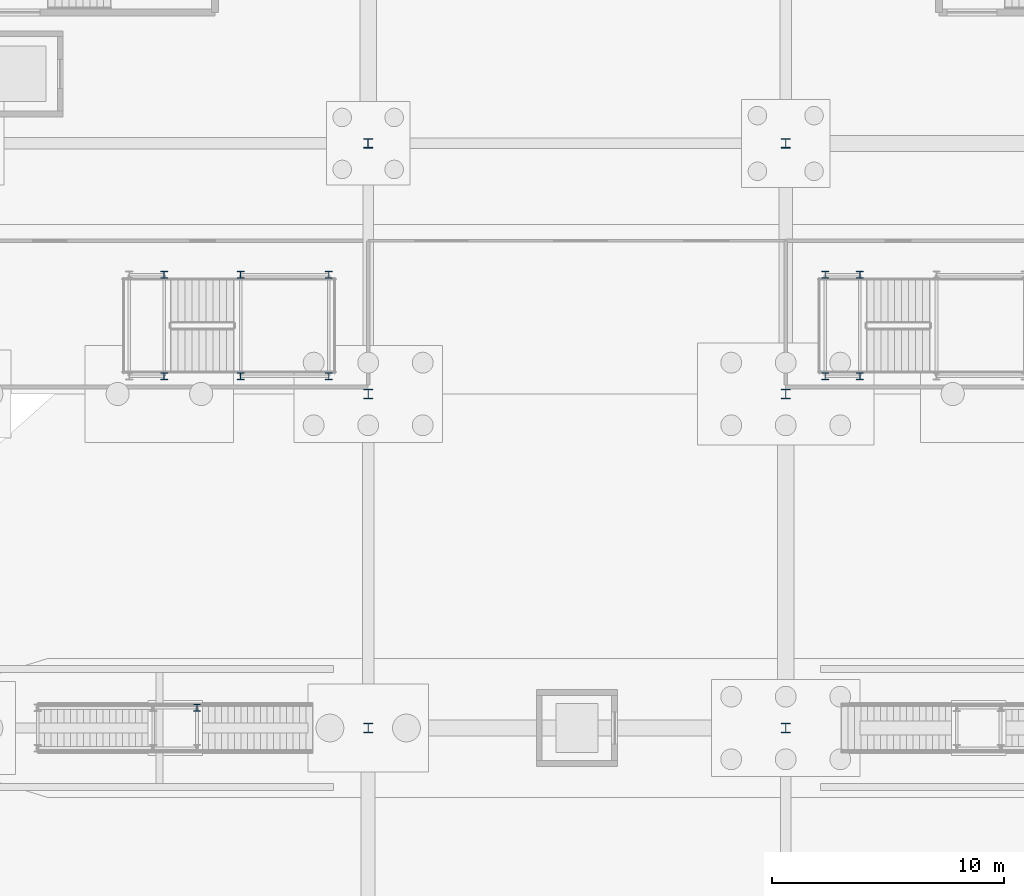
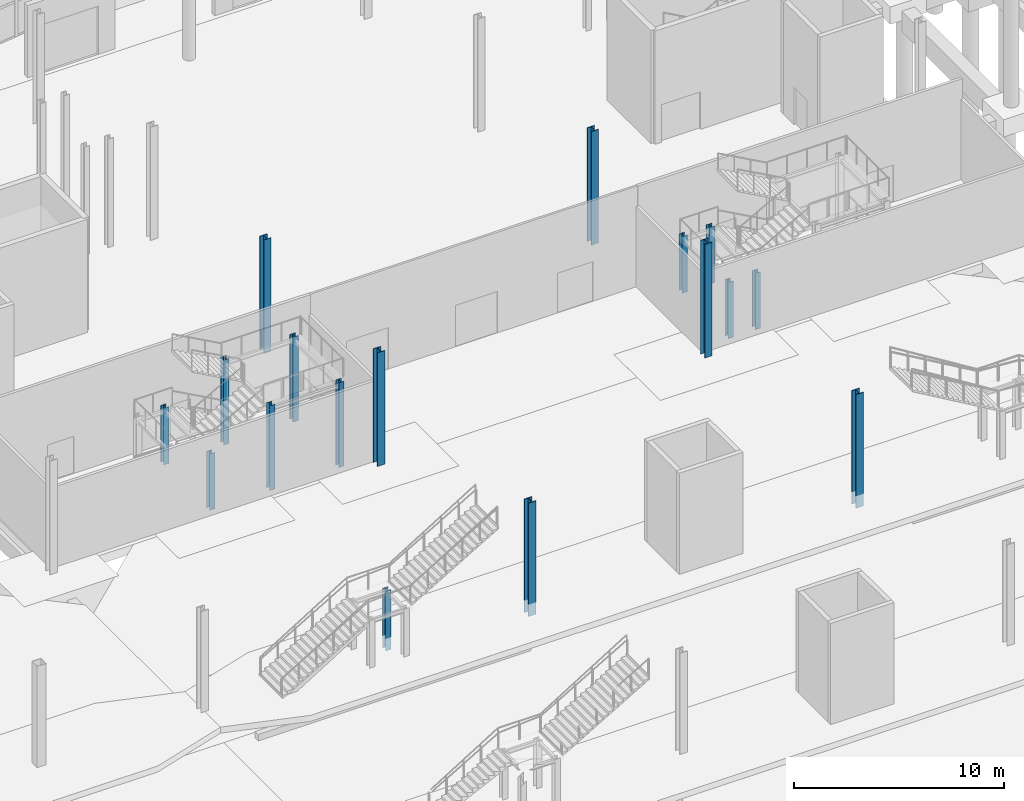
# One storey, part 21 of 115: 17 columns.
"""IFC4 building model written with IfcOpenShell, lengths in metres."""

from ifc_helpers import new_model, si_unit, direction, frame, origin, origin_2d, place, context, subcontext, project, spatial, i_section, extrude, material, material_profile, profile_set, type_object, element, save


model = new_model("IFC4")

# Units and contexts
model_context = context("Model", 3, precision=1e-05, world=origin(), true_north=direction((0.0, 1.0)))
body_context = subcontext(model_context, "Body", "Model", "MODEL_VIEW")
ifc_project = project(units=[si_unit("LENGTHUNIT", "METRE"), si_unit("AREAUNIT", "SQUARE_METRE"), si_unit("VOLUMEUNIT", "CUBIC_METRE"), si_unit("PLANEANGLEUNIT", "RADIAN"), si_unit("MASSUNIT", "GRAM", prefix="KILO")], contexts=[model_context])

# Site, building, storey
site_placement = place(None, origin())
site = spatial("IfcSite", under=ifc_project, at=site_placement, CompositionType="ELEMENT")
building_placement = place(site_placement, origin())
building = spatial("IfcBuilding", under=site, at=building_placement, Name="Tamarisk Ironworks Central Station", CompositionType="ELEMENT")
storey_placement = place(building_placement, origin())
storey = spatial("IfcBuildingStorey", under=building, at=storey_placement, Name="L00", CompositionType="ELEMENT", Elevation=0.0)

# Columns
ifc_material = material(Name="Structural steel S355J2", Category="steel")
ifc_material_profile_1 = material_profile(ifc_material, i_section(OverallWidth=0.408935546875, OverallDepth=0.425048828125, WebThickness=0.02490234375, FlangeThickness=0.0390625, at=origin_2d()), Name="HD 400x421")
ifc_profile_set_1 = profile_set([ifc_material_profile_1], Name="Structural steel S355J2")
column_type_1 = type_object("IfcColumnType", Name="COL-S01", PredefinedType="COLUMN", material=ifc_profile_set_1)
for number, where, z_axis, x_axis, name in (
    (1, (72.0, 64.800048828125, 0.0), (0.0, 0.0, 1.0), (1.0, 0.0, 0.0), "L00 column V2-09F"),
    (2, (72.0, 79.199951171875, 0.0), (0.0, 0.0, 1.0), (1.0, 0.0, 0.0), "L00 column V2-09G"),
    (3, (90.0, 64.800048828125, 0.0), (0.0, 0.0, 1.0), (1.0, 0.0, 0.0), "L00 column V2-12F"),
    (4, (90.0, 79.199951171875, 0.0), (0.0, 0.0, 1.0), (1.0, 0.0, 0.0), "L00 column V2-12G"),
):
    element("IfcColumn", number, at=place(storey_placement, frame(where, z_axis=z_axis, x_axis=x_axis)), inside=storey, type_object=column_type_1, Name=name, PredefinedType="COLUMN", context=body_context, shape_type="SweptSolid", body=[
        extrude(i_section(OverallWidth=0.408935546875, OverallDepth=0.425048828125, WebThickness=0.02490234375, FlangeThickness=0.0390625, at=origin_2d()), origin(), (0.0, 0.0, 1.0), 6.60009765625),
    ])
ifc_material_profile_2 = material_profile(ifc_material, i_section(OverallWidth=0.40087890625, OverallDepth=0.39892578125, WebThickness=0.018798828125, FlangeThickness=0.029052734375, at=origin_2d()), Name="HD 400x314")
ifc_profile_set_2 = profile_set([ifc_material_profile_2], Name="Structural steel S355J2")
column_type_2 = type_object("IfcColumnType", Name="COL-S04", PredefinedType="COLUMN", material=ifc_profile_set_2)
for number, where, z_axis, x_axis, name in (
    (5, (72.0, 90.0, 0.0), (0.0, 0.0, 1.0), (1.0, 0.0, 0.0), "L00 column V2-09H"),
    (6, (90.0, 90.0, 0.0), (0.0, 0.0, 1.0), (1.0, 0.0, 0.0), "L00 column V2-12H"),
):
    element("IfcColumn", number, at=place(storey_placement, frame(where, z_axis=z_axis, x_axis=x_axis)), inside=storey, type_object=column_type_2, Name=name, PredefinedType="COLUMN", context=body_context, shape_type="SweptSolid", body=[
        extrude(i_section(OverallWidth=0.40087890625, OverallDepth=0.39892578125, WebThickness=0.018798828125, FlangeThickness=0.029052734375, at=origin_2d()), origin(), (0.0, 0.0, 1.0), 6.60009765625),
    ])
ifc_material_profile_3 = material_profile(ifc_material, i_section(OverallWidth=0.300048828125, OverallDepth=0.300048828125, WebThickness=0.010986328125, FlangeThickness=0.01904296875, at=origin_2d()), Name="HEB 300")
ifc_profile_set_3 = profile_set([ifc_material_profile_3], Name="Structural steel S355J2")
column_type_3 = type_object("IfcColumnType", Name="COL-S12", PredefinedType="COLUMN", material=ifc_profile_set_3)
for number, where, z_axis, x_axis, name in (
    (7, (63.199951171875, 79.965087890625, 0.0), (0.0, 0.0, 1.0), (1.0, 0.0, 0.0), "ST-TH1 landing support post Z1-2"),
    (8, (63.199951171875, 84.3349609375, 0.0), (0.0, 0.0, 1.0), (1.0, 0.0, 0.0), "ST-TH1 landing support post Z1-4"),
):
    element("IfcColumn", number, at=place(storey_placement, frame(where, z_axis=z_axis, x_axis=x_axis)), inside=storey, type_object=column_type_3, Name=name, PredefinedType="COLUMN", context=body_context, shape_type="SweptSolid", body=[
        extrude(i_section(OverallWidth=0.300048828125, OverallDepth=0.300048828125, WebThickness=0.010986328125, FlangeThickness=0.01904296875, at=origin_2d()), origin(), (0.0, 0.0, 1.0), 3.280029296875),
    ])
for number, where, z_axis, x_axis, name in (
    (9, (66.5, 79.965087890625, 0.0), (0.0, 0.0, 1.0), (1.0, 0.0, 0.0), "ST-TH1 landing support post Z2-1"),
    (10, (70.300048828125, 79.965087890625, 0.0), (0.0, 0.0, 1.0), (1.0, 0.0, 0.0), "ST-TH1 landing support post Z2-2"),
    (11, (66.5, 84.3349609375, 0.0), (0.0, 0.0, 1.0), (1.0, 0.0, 0.0), "ST-TH1 landing support post Z2-3"),
    (12, (70.300048828125, 84.3349609375, 0.0), (0.0, 0.0, 1.0), (1.0, 0.0, 0.0), "ST-TH1 landing support post Z2-4"),
):
    element("IfcColumn", number, at=place(storey_placement, frame(where, z_axis=z_axis, x_axis=x_axis)), inside=storey, type_object=column_type_3, Name=name, PredefinedType="COLUMN", context=body_context, shape_type="SweptSolid", body=[
        extrude(i_section(OverallWidth=0.300048828125, OverallDepth=0.300048828125, WebThickness=0.010986328125, FlangeThickness=0.01904296875, at=origin_2d()), origin(), (0.0, 0.0, 1.0), 4.929931640625),
    ])
for number, where, z_axis, x_axis, name in (
    (13, (91.699951171875, 79.965087890625, 0.0), (0.0, 0.0, 1.0), (1.0, 0.0, 0.0), "ST-TH2 landing support post Z1-1"),
    (14, (93.199951171875, 79.965087890625, 0.0), (0.0, 0.0, 1.0), (1.0, 0.0, 0.0), "ST-TH2 landing support post Z1-2"),
    (15, (91.699951171875, 84.3349609375, 0.0), (0.0, 0.0, 1.0), (1.0, 0.0, 0.0), "ST-TH2 landing support post Z1-3"),
    (16, (93.199951171875, 84.3349609375, 0.0), (0.0, 0.0, 1.0), (1.0, 0.0, 0.0), "ST-TH2 landing support post Z1-4"),
):
    element("IfcColumn", number, at=place(storey_placement, frame(where, z_axis=z_axis, x_axis=x_axis)), inside=storey, type_object=column_type_3, Name=name, PredefinedType="COLUMN", context=body_context, shape_type="SweptSolid", body=[
        extrude(i_section(OverallWidth=0.300048828125, OverallDepth=0.300048828125, WebThickness=0.010986328125, FlangeThickness=0.01904296875, at=origin_2d()), origin(), (0.0, 0.0, 1.0), 3.280029296875),
    ])
column_placement = place(storey_placement, frame((64.6201171875, 65.679931640625, 0.0), z_axis=(0.0, 0.0, 1.0), x_axis=(1.0, 0.0, 0.0)))
element("IfcColumn", 17, at=column_placement, inside=storey, type_object=column_type_3, Name="ST-P4A mid-landing support column 4", PredefinedType="COLUMN", context=body_context, shape_type="SweptSolid", body=[
    extrude(i_section(OverallWidth=0.300048828125, OverallDepth=0.300048828125, WebThickness=0.010986328125, FlangeThickness=0.01904296875, at=origin_2d()), origin(), (0.0, 0.0, 1.0), 3.469970703125),
])

save(model, "model.ifc")
